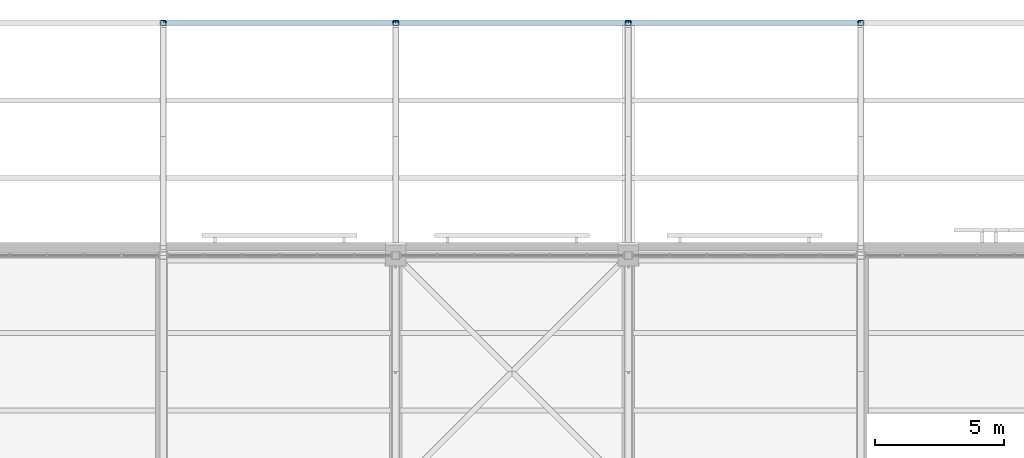
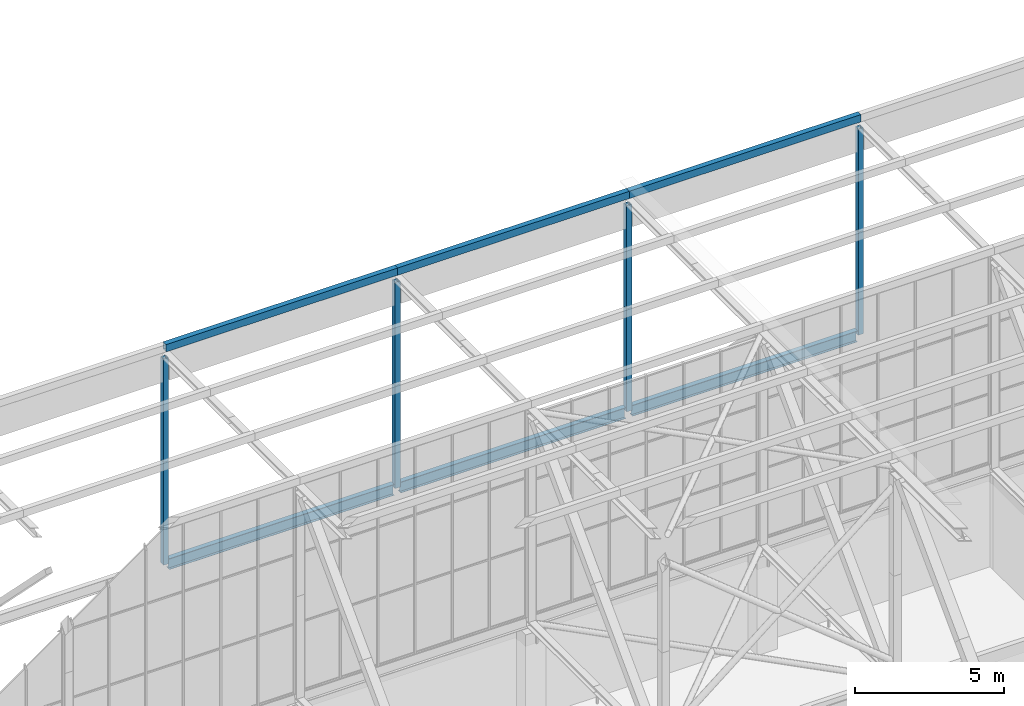
# One storey, part 125 of 646: 11 members, 3 beams.
"""IFC4 building model written with IfcOpenShell, lengths in metres."""

from ifc_helpers import new_model, si_unit, direction, frame, origin, origin_2d, place, context, subcontext, project, spatial, hollow_rectangle, i_section, extrude, material, material_profile, profile_set, type_object, element, save


model = new_model("IFC4")

# Units and contexts
model_context = context("Model", 3, precision=1e-05, world=origin(), true_north=direction((0.0, 1.0)))
body_context = subcontext(model_context, "Body", "Model", "MODEL_VIEW")
ifc_project = project(units=[si_unit("LENGTHUNIT", "METRE"), si_unit("AREAUNIT", "SQUARE_METRE"), si_unit("VOLUMEUNIT", "CUBIC_METRE"), si_unit("PLANEANGLEUNIT", "RADIAN"), si_unit("MASSUNIT", "GRAM", prefix="KILO")], contexts=[model_context])

# Site, building, storey
site_placement = place(None, origin())
site = spatial("IfcSite", under=ifc_project, at=site_placement, CompositionType="ELEMENT")
building_placement = place(site_placement, origin())
building = spatial("IfcBuilding", under=site, at=building_placement, Name="Silverbay Arena", CompositionType="ELEMENT")
storey_placement = place(building_placement, frame((0.0, 0.0, 33.5)))
storey = spatial("IfcBuildingStorey", under=building, at=storey_placement, Name="L05", CompositionType="ELEMENT", Elevation=33.5)

# Members
ifc_material_1 = material(Name="Steel S355", Category="steel")
ifc_material_profile_1 = material_profile(ifc_material_1, hollow_rectangle(XDim=0.199951171875, YDim=0.199951171875, WallThickness=0.008056640625, at=origin_2d()), Name="SHS 200x200x8")
ifc_profile_set_1 = profile_set([ifc_material_profile_1], Name="Steel S355")
member_type_1 = type_object("IfcMemberType", Name="Main-span truss vertical SHS 200x200x8", PredefinedType="STRUT", material=ifc_profile_set_1)
for number, where, z_axis, x_axis, name in (
    (1, (117.0, 153.0, 4.2666015625), (0.0, 0.0, 1.0), (1.0, 0.0, 0.0), "ROOF TRUSS 14 vertical 17a"),
    (2, (117.0, 153.0, 8.5), (0.0, 0.0, 1.0), (1.0, 0.0, 0.0), "ROOF TRUSS 14 vertical 17b"),
    (3, (126.0, 153.0, 4.2666015625), (0.0, 0.0, 1.0), (1.0, 0.0, 0.0), "ROOF TRUSS 15 vertical 17a"),
    (4, (126.0, 153.0, 8.5), (0.0, 0.0, 1.0), (1.0, 0.0, 0.0), "ROOF TRUSS 15 vertical 17b"),
    (5, (135.0, 153.0, 4.2666015625), (0.0, 0.0, 1.0), (1.0, 0.0, 0.0), "ROOF TRUSS 16 vertical 17a"),
    (6, (135.0, 153.0, 8.5), (0.0, 0.0, 1.0), (1.0, 0.0, 0.0), "ROOF TRUSS 16 vertical 17b"),
    (7, (144.0, 153.0, 4.2666015625), (0.0, 0.0, 1.0), (1.0, 0.0, 0.0), "ROOF TRUSS 17 vertical 17a"),
    (8, (144.0, 153.0, 8.5), (0.0, 0.0, 1.0), (1.0, 0.0, 0.0), "ROOF TRUSS 17 vertical 17b"),
):
    element("IfcMember", number, at=place(storey_placement, frame(where, z_axis=z_axis, x_axis=x_axis)), inside=storey, type_object=member_type_1, Name=name, PredefinedType="STRUT", context=body_context, shape_type="SweptSolid", body=[
        extrude(hollow_rectangle(XDim=0.199951171875, YDim=0.199951171875, WallThickness=0.008056640625, at=origin_2d()), origin(), (0.0, 0.0, 1.0), 4.2333984375),
    ])
ifc_material_2 = material(Name="Steel S355", Category="steel")
ifc_material_profile_2 = material_profile(ifc_material_2, hollow_rectangle(XDim=0.199951171875, YDim=0.300048828125, WallThickness=0.008056640625, at=origin_2d()), Name="RHS 300x200x8")
ifc_profile_set_2 = profile_set([ifc_material_profile_2], Name="Steel S355")
member_type_2 = type_object("IfcMemberType", Name="Purlin RHS 300x200x8", PredefinedType="PURLIN", material=ifc_profile_set_2)
for number, where, z_axis, x_axis, name in (
    (9, (117.0, 153.0, 13.14990234375), (1.0, 0.0, 0.0), (0.0, 1.0, 0.0), "ROOF PURLIN 14-15 line 49"),
    (10, (126.0, 153.0, 13.14990234375), (1.0, 0.0, 0.0), (0.0, 1.0, 0.0), "ROOF PURLIN 15-16 line 49"),
    (11, (135.0, 153.0, 13.14990234375), (1.0, 0.0, 0.0), (0.0, 1.0, 0.0), "ROOF PURLIN 16-17 line 49"),
):
    element("IfcMember", number, at=place(storey_placement, frame(where, z_axis=z_axis, x_axis=x_axis)), inside=storey, type_object=member_type_2, Name=name, PredefinedType="PURLIN", context=body_context, shape_type="SweptSolid", body=[
        extrude(hollow_rectangle(XDim=0.199951171875, YDim=0.300048828125, WallThickness=0.008056640625, at=origin_2d()), origin(), (0.0, 0.0, 1.0), 9.0),
    ])

# Beams
ifc_material_3 = material(Name="Steel S355", Category="steel")
ifc_material_profile_3 = material_profile(ifc_material_3, i_section(OverallWidth=0.18994140625, OverallDepth=0.453369140625, WebThickness=0.008544921875, FlangeThickness=0.0126953125, at=origin_2d()), Name="UB 457x191x67")
ifc_profile_set_3 = profile_set([ifc_material_profile_3], Name="Steel S355")
beam_type = type_object("IfcBeamType", Name="Ring beam UB 457x191x67", PredefinedType="BEAM", material=ifc_profile_set_3)
for number, where, z_axis, x_axis, name in (
    (12, (117.12939453125, 153.0, 4.226806640625), (1.0, 0.0, 0.0), (0.0, 1.0, 0.0), "RING BEAM north edge 14-15"),
    (13, (126.12939453125, 153.0, 4.226806640625), (1.0, 0.0, 0.0), (0.0, 1.0, 0.0), "RING BEAM north edge 15-16"),
    (14, (135.12939453125, 153.0, 4.226806640625), (1.0, 0.0, 0.0), (0.0, 1.0, 0.0), "RING BEAM north edge 16-17"),
):
    element("IfcBeam", number, at=place(storey_placement, frame(where, z_axis=z_axis, x_axis=x_axis)), inside=storey, type_object=beam_type, Name=name, PredefinedType="BEAM", context=body_context, shape_type="SweptSolid", body=[
        extrude(i_section(OverallWidth=0.18994140625, OverallDepth=0.453369140625, WebThickness=0.008544921875, FlangeThickness=0.0126953125, at=origin_2d()), origin(), (0.0, 0.0, 1.0), 8.7412109375),
    ])

save(model, "model.ifc")
